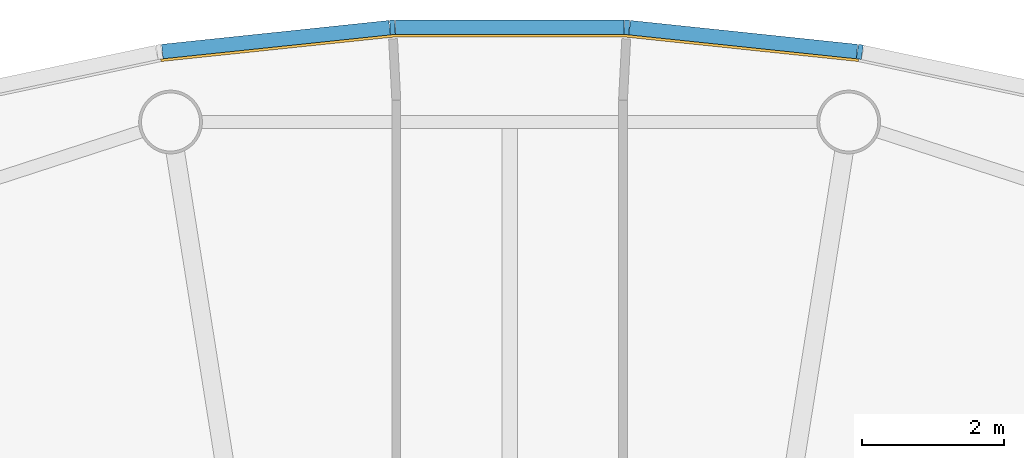
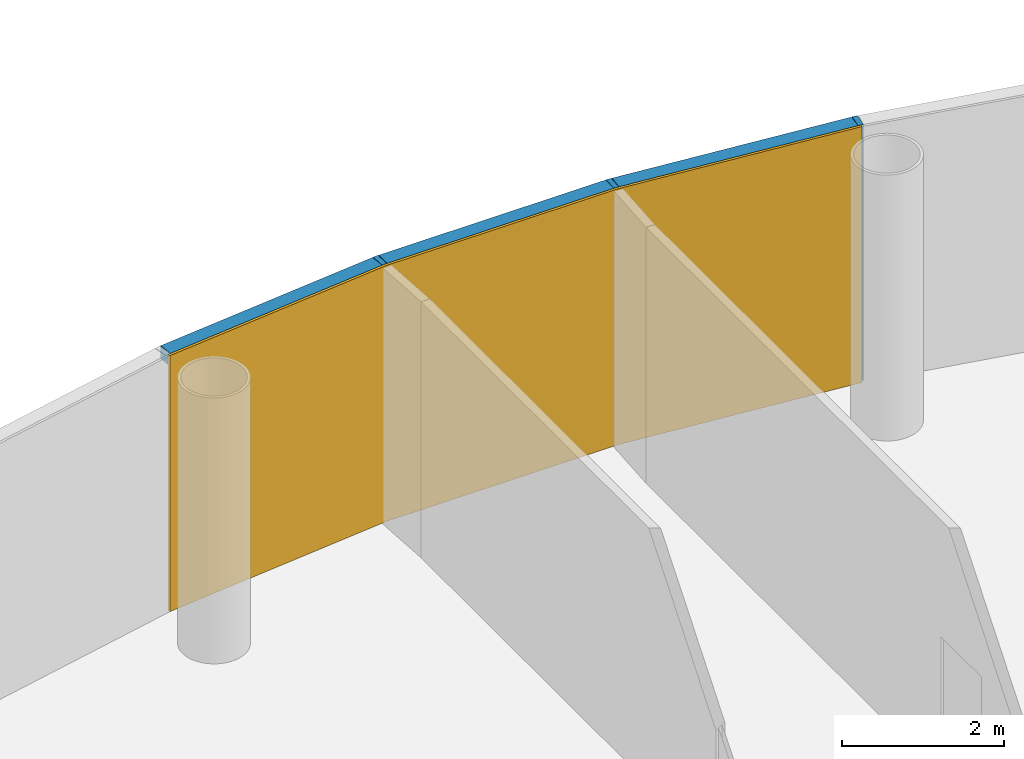
# One storey, part 11 of 13: 6 members, 1 curtain wall.
"""IFC4 building model written with IfcOpenShell, lengths in metres."""

from ifc_helpers import new_model, si_unit, direction, frame, origin, origin_2d, place, context, subcontext, project, spatial, polyline, rectangle, outline, extrude, material, layer, layer_set, material_profile, profile_set, type_object, element, aggregate, save


model = new_model("IFC4")

# Units and contexts
model_context = context("Model", 3, precision=1e-05, world=origin(), true_north=direction((0.0, 1.0)))
body_context = subcontext(model_context, "Body", "Model", "MODEL_VIEW")
ifc_project = project(units=[si_unit("LENGTHUNIT", "METRE"), si_unit("AREAUNIT", "SQUARE_METRE"), si_unit("VOLUMEUNIT", "CUBIC_METRE"), si_unit("PLANEANGLEUNIT", "RADIAN"), si_unit("MASSUNIT", "GRAM", prefix="KILO")], contexts=[model_context])

# Member
ifc_material_1 = material(Name="Anodised aluminium", Category="aluminium")
ifc_material_profile_1 = material_profile(ifc_material_1, rectangle(XDim=0.070068359375, YDim=0.205078125, at=origin_2d()), Name="Mullion 70 x 205 mm anodised aluminium")
ifc_profile_set_1 = profile_set([ifc_material_profile_1], Name="Anodised aluminium")
member_type_1 = type_object("IfcMemberType", Name="Mullion 70 x 205 mm anodised aluminium", PredefinedType="MULLION", material=ifc_profile_set_1)
site_placement = place(None, origin())
building_placement = place(site_placement, origin())
storey_placement = place(building_placement, frame((0.0, 0.0, 364.0)))
member_1_placement = place(storey_placement, frame((94.943603515625, 111.21337890625, 0.0), z_axis=(0.0, 0.0, 1.0), x_axis=(-0.987688340595, 0.15643446504, 0.0)))
member_1 = element("IfcMember", 1, at=member_1_placement, type_object=member_type_1, Name="MULLION L84-12", PredefinedType="MULLION", context=body_context, shape_type="SweptSolid", body=[
    extrude(rectangle(XDim=0.070068359375, YDim=0.205078125, at=origin_2d()), origin(), (0.0, 0.0, 1.0), 3.85009765625),
])

member_2_placement = place(storey_placement, frame((91.654052734375, 111.55908203125, 0.0), z_axis=(0.0, 0.0, 1.0), x_axis=(-0.998629534755, 0.052335956243, 0.0)))
member_2 = element("IfcMember", 2, at=member_2_placement, type_object=member_type_1, Name="MULLION L84-13", PredefinedType="MULLION", context=body_context, shape_type="SweptSolid", body=[
    extrude(rectangle(XDim=0.070068359375, YDim=0.205078125, at=origin_2d()), origin(), (0.0, 0.0, 1.0), 3.85009765625),
])

member_3_placement = place(storey_placement, frame((88.345947265625, 111.55908203125, 0.0), z_axis=(0.0, 0.0, 1.0), x_axis=(-0.998629534755, -0.052335956243, 0.0)))
member_3 = element("IfcMember", 3, at=member_3_placement, type_object=member_type_1, Name="MULLION L84-14", PredefinedType="MULLION", context=body_context, shape_type="SweptSolid", body=[
    extrude(rectangle(XDim=0.070068359375, YDim=0.205078125, at=origin_2d()), origin(), (0.0, 0.0, 1.0), 3.85009765625),
])

ifc_material_2 = material(Name="Anodised aluminium", Category="aluminium")
ifc_material_profile_2 = material_profile(ifc_material_2, rectangle(XDim=0.205078125, YDim=0.195068359375, at=origin_2d()), Name="Transom 195 x 205 mm anodised aluminium")
ifc_profile_set_2 = profile_set([ifc_material_profile_2], Name="Anodised aluminium")
member_type_2 = type_object("IfcMemberType", Name="Transom 195 x 205 mm anodised aluminium", PredefinedType="USERDEFINED", material=ifc_profile_set_2)
member_4_placement = place(storey_placement, frame((94.903564453125, 111.2177734375, 3.75244140625), z_axis=(-0.994519537956, 0.104550890115, 0.0), x_axis=(-0.104550890115, -0.994519537956, 0.0)))
member_4 = element("IfcMember", 4, at=member_4_placement, type_object=member_type_2, Name="TRANSOM L84-12", ObjectType="TRANSOM", PredefinedType="USERDEFINED", context=body_context, shape_type="SweptSolid", body=[
    extrude(rectangle(XDim=0.205078125, YDim=0.195068359375, at=origin_2d()), origin(), (0.0, 0.0, 1.0), 3.22705078125),
])

member_5_placement = place(storey_placement, frame((91.613525390625, 111.559326171875, 3.75244140625), z_axis=(-1.0, 0.0, 0.0), x_axis=(0.0, -1.0, 0.0)))
member_5 = element("IfcMember", 5, at=member_5_placement, type_object=member_type_2, Name="TRANSOM L84-13", ObjectType="TRANSOM", PredefinedType="USERDEFINED", context=body_context, shape_type="SweptSolid", body=[
    extrude(rectangle(XDim=0.205078125, YDim=0.195068359375, at=origin_2d()), origin(), (0.0, 0.0, 1.0), 3.22705078125),
])

member_6_placement = place(storey_placement, frame((88.305908203125, 111.55517578125, 3.75244140625), z_axis=(-0.994519537956, -0.104550890115, 0.0), x_axis=(0.104550890115, -0.994519537956, 0.0)))
member_6 = element("IfcMember", 6, at=member_6_placement, type_object=member_type_2, Name="TRANSOM L84-14", ObjectType="TRANSOM", PredefinedType="USERDEFINED", context=body_context, shape_type="SweptSolid", body=[
    extrude(rectangle(XDim=0.205078125, YDim=0.195068359375, at=origin_2d()), origin(), (0.0, 0.0, 1.0), 3.22705078125),
])

# Site, building, storey
site = spatial("IfcSite", under=ifc_project, at=site_placement, CompositionType="ELEMENT")
building = spatial("IfcBuilding", under=site, at=building_placement, Name="Entoto Ring Tower", CompositionType="ELEMENT")
storey = spatial("IfcBuildingStorey", under=building, at=storey_placement, Name="L84", CompositionType="ELEMENT", Elevation=364.0)

# Curtain wall
ifc_material_3 = material(Name="Clear low-iron glass", Category="glass")
ifc_layer = layer(ifc_material_3, 0.035888671875)
ifc_layer_set = layer_set([ifc_layer], Name="Clear low-iron glass")
curtain_wall_type = type_object("IfcCurtainWallType", Name="Curtain wall system CW6 glazing 36 mm", PredefinedType="NOTDEFINED", material=ifc_layer_set)
curtain_wall_placement = place(storey_placement, origin())
curtain_wall = element("IfcCurtainWall", 7, at=curtain_wall_placement, inside=storey, type_object=curtain_wall_type, Name="CW6 L84-05", PredefinedType="NOTDEFINED", context=body_context, shape_type="SweptSolid", body=[
    extrude(outline(polyline([(94.927734375, 111.1123046875), (91.648681640625, 111.456787109375), (88.351318359375, 111.456787109375), (85.072265625, 111.1123046875), (85.077880859375, 111.07666015625), (88.353271484375, 111.4208984375), (91.646728515625, 111.4208984375), (94.922119140625, 111.07666015625), (94.927734375, 111.1123046875)])), origin(), (0.0, 0.0, 1.0), 3.85009765625),
])

aggregate(curtain_wall, [member_1, member_2, member_3, member_4, member_5, member_6])

save(model, "model.ifc")
